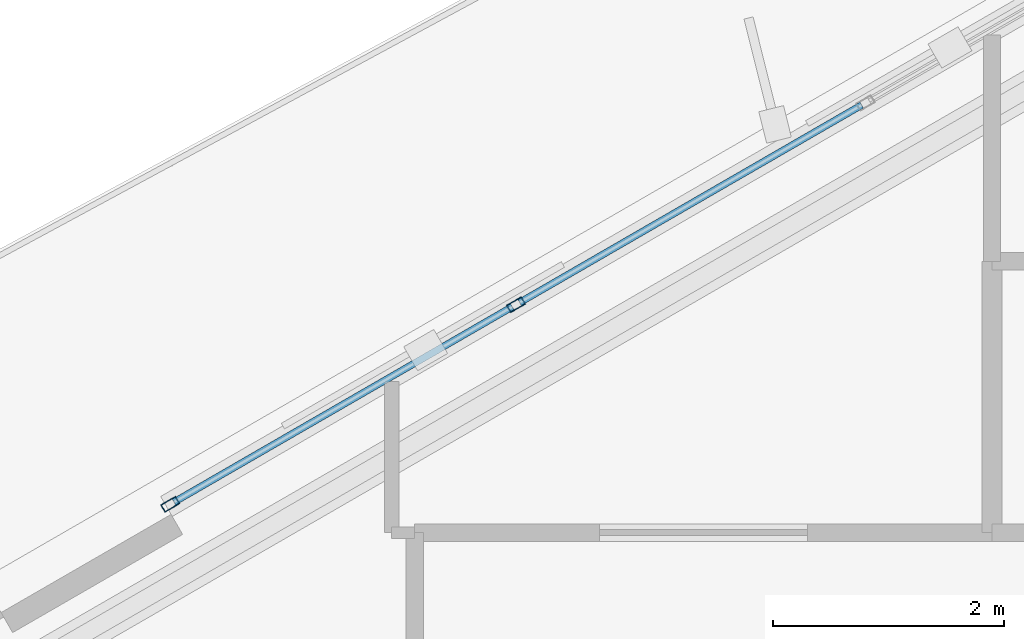
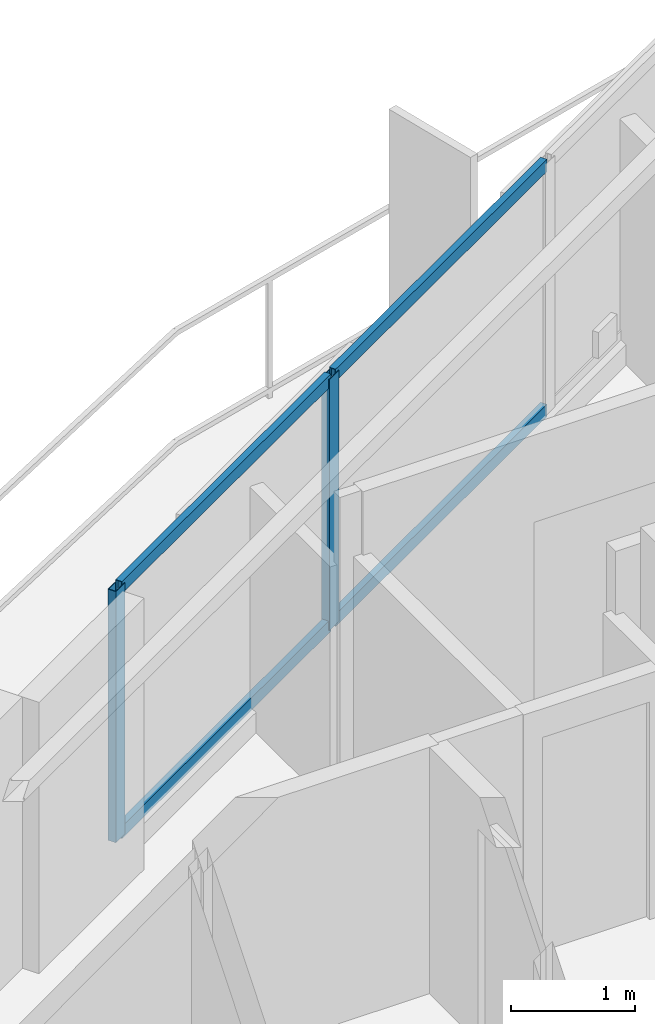
# One storey, part 5 of 19: 6 members, 1 element without a shape of its own.
"""IFC4 building model written with IfcOpenShell, lengths in metres."""

from ifc_helpers import new_model, si_unit, direction, frame, origin, origin_2d, place, context, subcontext, project, spatial, hollow_rectangle, extrude, material, layer, layer_set, material_profile, profile_set, type_object, element, aggregate, save


model = new_model("IFC4")

# Units and contexts
model_context = context("Model", 3, precision=1e-05, world=origin(), true_north=direction((0.0, 1.0)))
body_context = subcontext(model_context, "Body", "Model", "MODEL_VIEW")
ifc_project = project(units=[si_unit("LENGTHUNIT", "METRE"), si_unit("AREAUNIT", "SQUARE_METRE"), si_unit("VOLUMEUNIT", "CUBIC_METRE"), si_unit("PLANEANGLEUNIT", "RADIAN"), si_unit("MASSUNIT", "GRAM", prefix="KILO")], contexts=[model_context])

# Site, building, storey
site_placement = place(None, origin())
site = spatial("IfcSite", under=ifc_project, at=site_placement, CompositionType="ELEMENT")
building_placement = place(site_placement, origin())
building = spatial("IfcBuilding", under=site, at=building_placement, Name="Mersakhor Tower and Convention Hall", CompositionType="ELEMENT")
storey_placement = place(building_placement, frame((0.0, 0.0, 127.800048828125)))
storey = spatial("IfcBuildingStorey", under=building, at=storey_placement, Name="L35", CompositionType="ELEMENT", Elevation=127.800048828125)

# Curtain wall, members
ifc_material_1 = material(Name="Dark solar low-E aluminium curtain wall", Category="aluminium")
ifc_layer = layer(ifc_material_1, 0.169921875)
ifc_layer_set = layer_set([ifc_layer], Name="Dark solar low-E aluminium curtain wall")
curtain_wall_type = type_object("IfcCurtainWallType", Name="CW-SYS-02", PredefinedType="USERDEFINED", material=ifc_layer_set)
curtain_wall_placement = place(storey_placement, origin())
curtain_wall = element("IfcCurtainWall", 1, at=curtain_wall_placement, inside=storey, type_object=curtain_wall_type, Name="L35 Dark-Glass Curtain Wall F1-B2", ObjectType="CURTAIN WALL", PredefinedType="USERDEFINED")
ifc_material_2 = material(Name="Anodised aluminium EN AW-6063 T6", Category="aluminium")
ifc_material_profile_1 = material_profile(ifc_material_2, hollow_rectangle(XDim=0.074951171875, YDim=0.14990234375, WallThickness=0.00634765625, at=origin_2d()), Name="RHS 150x75x6.3")
ifc_profile_set_1 = profile_set([ifc_material_profile_1], Name="Anodised aluminium EN AW-6063 T6")
member_type_1 = type_object("IfcMemberType", Name="CWM-150x75", PredefinedType="MULLION", material=ifc_profile_set_1)
member_1_placement = place(storey_placement, frame((17.88232421875, 35.595458984375, 0.199951171875), z_axis=(0.0, 0.0, 1.0), x_axis=(-0.499990468363, 0.866030906807, 0.0)))
member_1 = element("IfcMember", 2, at=member_1_placement, type_object=member_type_1, Name="CW-02 mullion 1", PredefinedType="MULLION", context=body_context, shape_type="SweptSolid", body=[
    extrude(hollow_rectangle(XDim=0.074951171875, YDim=0.14990234375, WallThickness=0.00634765625, at=origin_2d()), origin(), (0.0, 0.0, 1.0), 2.47998046875),
])
member_2_placement = place(storey_placement, frame((20.876953125, 37.32421875, 0.199951171875), z_axis=(0.0, 0.0, 1.0), x_axis=(-0.499990468363, 0.866030906807, 0.0)))
member_2 = element("IfcMember", 3, at=member_2_placement, type_object=member_type_1, Name="CW-02 mullion 2", PredefinedType="MULLION", context=body_context, shape_type="SweptSolid", body=[
    extrude(hollow_rectangle(XDim=0.074951171875, YDim=0.14990234375, WallThickness=0.00634765625, at=origin_2d()), origin(), (0.0, 0.0, 1.0), 2.47998046875),
])
ifc_material_3 = material(Name="Anodised aluminium EN AW-6063 T6", Category="aluminium")
ifc_material_profile_2 = material_profile(ifc_material_3, hollow_rectangle(XDim=0.06005859375, YDim=0.1201171875, WallThickness=0.0048828125, at=origin_2d()), Name="RHS 120x60x5")
ifc_profile_set_2 = profile_set([ifc_material_profile_2], Name="Anodised aluminium EN AW-6063 T6")
member_type_2 = type_object("IfcMemberType", Name="CWT-120x60", PredefinedType="USERDEFINED", material=ifc_profile_set_2)
member_3_placement = place(storey_placement, frame((17.914794921875, 35.6142578125, 0.22998046875), z_axis=(0.866031754707, 0.499988999718, 0.0), x_axis=(-0.499988999718, 0.866031754707, 0.0)))
member_3 = element("IfcMember", 4, at=member_3_placement, type_object=member_type_2, Name="CW-02 transom 1.1", ObjectType="TRANSOM", PredefinedType="USERDEFINED", context=body_context, shape_type="SweptSolid", body=[
    extrude(hollow_rectangle(XDim=0.06005859375, YDim=0.1201171875, WallThickness=0.0048828125, at=origin_2d()), origin(), (0.0, 0.0, 1.0), 3.3828125),
])
member_4_placement = place(storey_placement, frame((17.914794921875, 35.6142578125, 2.64990234375), z_axis=(0.866031754707, 0.499988999718, 0.0), x_axis=(-0.499988999718, 0.866031754707, 0.0)))
member_4 = element("IfcMember", 5, at=member_4_placement, type_object=member_type_2, Name="CW-02 transom 1.2", ObjectType="TRANSOM", PredefinedType="USERDEFINED", context=body_context, shape_type="SweptSolid", body=[
    extrude(hollow_rectangle(XDim=0.06005859375, YDim=0.1201171875, WallThickness=0.0048828125, at=origin_2d()), origin(), (0.0, 0.0, 1.0), 3.3828125),
])
member_5_placement = place(storey_placement, frame((20.909423828125, 37.343017578125, 0.22998046875), z_axis=(0.866007273829, 0.50003140069, 0.0), x_axis=(-0.50003140069, 0.866007273829, 0.0)))
member_5 = element("IfcMember", 6, at=member_5_placement, type_object=member_type_2, Name="CW-02 transom 2.1", ObjectType="TRANSOM", PredefinedType="USERDEFINED", context=body_context, shape_type="SweptSolid", body=[
    extrude(hollow_rectangle(XDim=0.06005859375, YDim=0.1201171875, WallThickness=0.0048828125, at=origin_2d()), origin(), (0.0, 0.0, 1.0), 3.420166015625),
])
member_6_placement = place(storey_placement, frame((20.909423828125, 37.343017578125, 2.64990234375), z_axis=(0.866007273829, 0.50003140069, 0.0), x_axis=(-0.50003140069, 0.866007273829, 0.0)))
member_6 = element("IfcMember", 7, at=member_6_placement, type_object=member_type_2, Name="CW-02 transom 2.2", ObjectType="TRANSOM", PredefinedType="USERDEFINED", context=body_context, shape_type="SweptSolid", body=[
    extrude(hollow_rectangle(XDim=0.06005859375, YDim=0.1201171875, WallThickness=0.0048828125, at=origin_2d()), origin(), (0.0, 0.0, 1.0), 3.420166015625),
])
aggregate(curtain_wall, [member_1, member_2, member_3, member_4, member_5, member_6])

save(model, "model.ifc")
